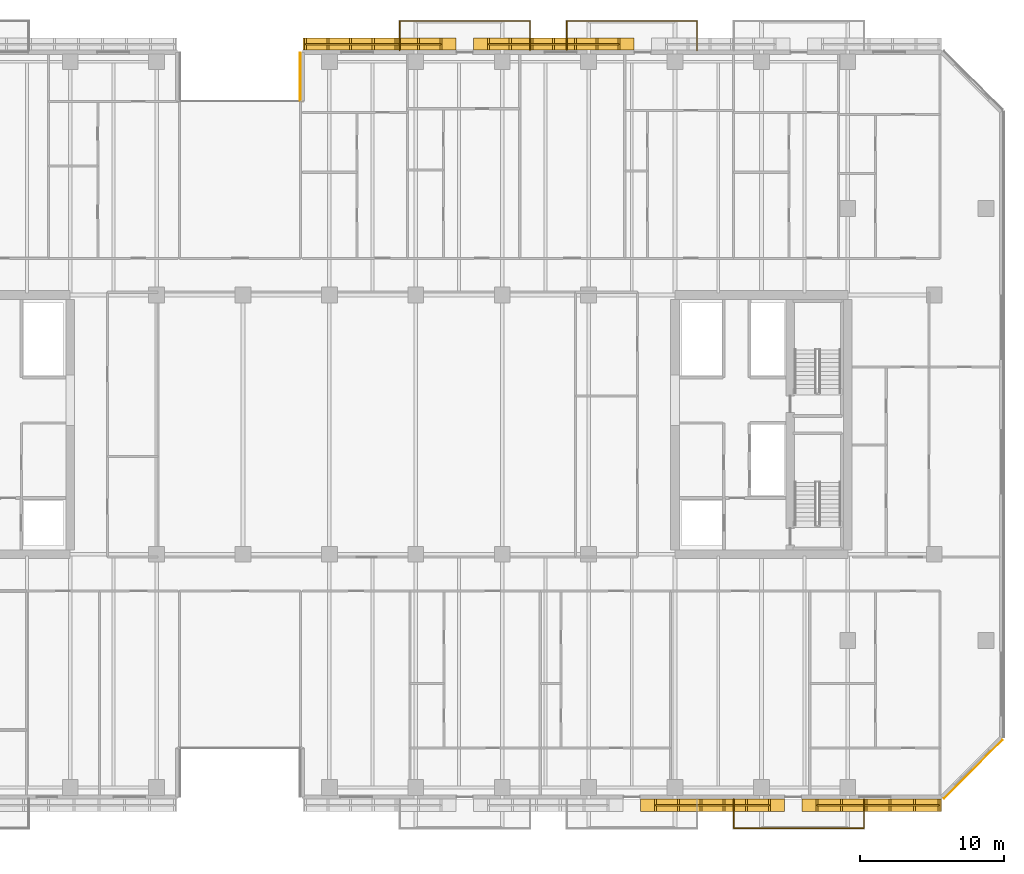
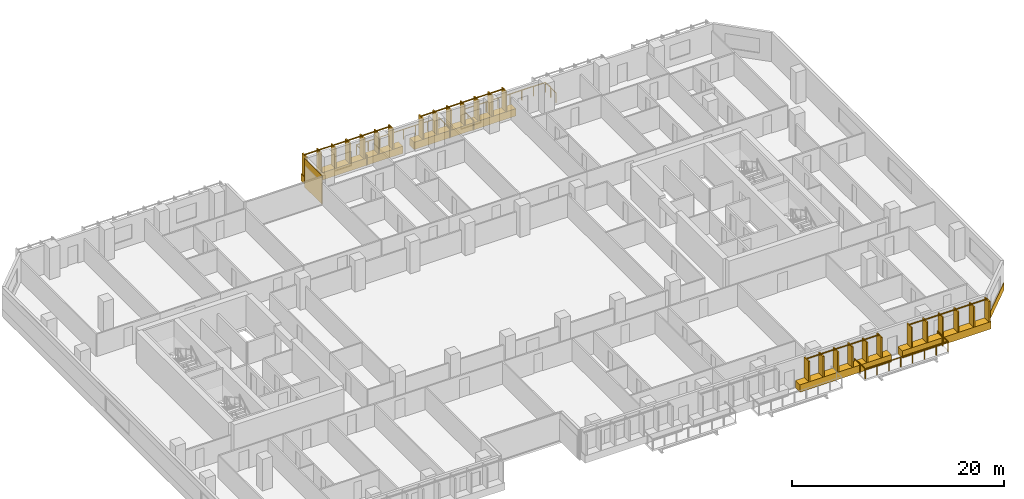
# One storey, part 22 of 25: 7 railings, 6 coverings.
"""IFC4 building model written with IfcOpenShell, lengths in metres."""

from ifc_helpers import new_model, si_unit, direction, frame, origin, origin_2d, place, context, subcontext, project, spatial, rectangle, extrude, material, layer, layer_set, type_object, element, save


model = new_model("IFC4")

# Units and contexts
model_context = context("Model", 3, precision=1e-05, world=origin(), true_north=direction((0.0, 1.0)))
body_context = subcontext(model_context, "Body", "Model", "MODEL_VIEW")
ifc_project = project(units=[si_unit("LENGTHUNIT", "METRE"), si_unit("AREAUNIT", "SQUARE_METRE"), si_unit("VOLUMEUNIT", "CUBIC_METRE"), si_unit("PLANEANGLEUNIT", "RADIAN"), si_unit("MASSUNIT", "GRAM", prefix="KILO")], contexts=[model_context])

# Site, building, storey
site_placement = place(None, origin())
site = spatial("IfcSite", under=ifc_project, at=site_placement, CompositionType="ELEMENT")
building_placement = place(site_placement, origin())
building = spatial("IfcBuilding", under=site, at=building_placement, Name="Tanjung Sevakor Pilgrim Tower", CompositionType="ELEMENT")
storey_placement = place(building_placement, frame((0.0, 0.0, 69.6298828125)))
storey = spatial("IfcBuildingStorey", under=building, at=storey_placement, Name="L19", CompositionType="ELEMENT", Elevation=69.6298828125)

# Coverings
ifc_material_1 = material(Name="Reconstructed Limestone Cladding", Category="masonry")
ifc_layer = layer(ifc_material_1, 0.044921875)
ifc_layer_set = layer_set([ifc_layer], Name="COV-CLAD-LIMESTONE")
covering_type = type_object("IfcCoveringType", Name="COV-CLAD-LIMESTONE", PredefinedType="CLADDING", material=ifc_layer_set)
covering_1_placement = place(storey_placement, frame((80.60009765625, 7.169921875, 0.01025390625), z_axis=(0.0, 0.0, 1.0), x_axis=(1.0, 0.0, 0.0)))
element("IfcCovering", 1, at=covering_1_placement, inside=storey, type_object=covering_type, Name="L19 Warm Limestone Sill Spandrel EW-L19-MAIN-5-3", PredefinedType="CLADDING", context=body_context, shape_type="SweptSolid", body=[
    extrude(rectangle(XDim=9.97998046875, YDim=0.860107421875, at=origin_2d()), origin(), (0.0, 0.0, 1.0), 0.840087890625),
])
covering_2_placement = place(storey_placement, frame((91.656005859375, 7.169921875, 0.01025390625), z_axis=(0.0, 0.0, 1.0), x_axis=(1.0, 0.0, 0.0)))
element("IfcCovering", 2, at=covering_2_placement, inside=storey, type_object=covering_type, Name="L19 Warm Limestone Sill Spandrel EW-L19-MAIN-5-4", PredefinedType="CLADDING", context=body_context, shape_type="SweptSolid", body=[
    extrude(rectangle(XDim=9.69189453125, YDim=0.860107421875, at=origin_2d()), origin(), (0.0, 0.0, 1.0), 0.840087890625),
])
covering_3_placement = place(storey_placement, frame((98.7158203125, 9.68408203125, 0.01025390625), z_axis=(0.0, 0.0, 1.0), x_axis=(0.707106781187, 0.707106781187, 0.0)))
element("IfcCovering", 3, at=covering_3_placement, inside=storey, type_object=covering_type, Name="L19 Warm Limestone Sill Spandrel EW-CHM-L19-MAIN-5-1", PredefinedType="CLADDING", context=body_context, shape_type="SweptSolid", body=[
    extrude(rectangle(XDim=5.74365234375, YDim=0.044921875, at=origin_2d()), origin(), (0.0, 0.0, 1.0), 0.840087890625),
])
covering_4_placement = place(storey_placement, frame((69.574951171875, 60.030029296875, 0.01025390625), z_axis=(0.0, 0.0, 1.0), x_axis=(-1.0, 0.0, 0.0)))
element("IfcCovering", 4, at=covering_4_placement, inside=storey, type_object=covering_type, Name="L19 Warm Limestone Sill Spandrel EW-L19-MAIN-9-3", PredefinedType="CLADDING", context=body_context, shape_type="SweptSolid", body=[
    extrude(rectangle(XDim=11.1298828125, YDim=0.860107421875, at=origin_2d()), origin(), (0.0, 0.0, 1.0), 0.840087890625),
])
covering_5_placement = place(storey_placement, frame((57.485107421875, 60.030029296875, 0.01025390625), z_axis=(0.0, 0.0, 1.0), x_axis=(-1.0, 0.0, 0.0)))
element("IfcCovering", 5, at=covering_5_placement, inside=storey, type_object=covering_type, Name="L19 Warm Limestone Sill Spandrel EW-L19-MAIN-9-4", PredefinedType="CLADDING", context=body_context, shape_type="SweptSolid", body=[
    extrude(rectangle(XDim=10.610107421875, YDim=0.860107421875, at=origin_2d()), origin(), (0.0, 0.0, 1.0), 0.840087890625),
])
covering_6_placement = place(storey_placement, frame((51.9775390625, 57.760009765625, 0.02001953125), z_axis=(0.0, 0.0, 1.0), x_axis=(0.0, -1.0, 0.0)))
element("IfcCovering", 6, at=covering_6_placement, inside=storey, type_object=covering_type, Name="L19 Warm Limestone Wall Cladding EW-L19-MAIN-10", PredefinedType="CLADDING", context=body_context, shape_type="SweptSolid", body=[
    extrude(rectangle(XDim=3.360107421875, YDim=0.044921875, at=origin_2d()), origin(), (0.0, 0.0, 1.0), 3.31005859375),
])

# Railings
ifc_material_2 = material(Name="Laminated Glass and Aluminium", Category="aluminium")
railing_type_1 = type_object("IfcRailingType", Name="RL-BAL-BALUST", PredefinedType="BALUSTRADE", material=ifc_material_2)
railing_1_placement = place(storey_placement, frame((58.8798828125, 59.60009765625, 0.0)))
element("IfcRailing", 7, at=railing_1_placement, inside=storey, type_object=railing_type_1, Name="L19 Loggia Balustrade MAIN-N2", PredefinedType="BALUSTRADE", context=body_context, shape_type="SweptSolid", body=[
    extrude(rectangle(XDim=0.0479, YDim=0.0479), frame((0.0, 0.0, 1.1259765625), z_axis=(0.0, 1.0, 0.0), x_axis=(-1.0, 0.0, 0.0)), (0.0, 0.0, 1.0), 2.02001953125),
    extrude(rectangle(XDim=0.0479, YDim=0.0479), frame((0.0, 2.02001953125, 1.1259765625), z_axis=(1.0, 0.0, 0.0), x_axis=(0.0, 1.0, 0.0)), (0.0, 0.0, 1.0), 9.0400390625),
    extrude(rectangle(XDim=0.0479, YDim=0.0479), frame((9.0400390625, 2.02001953125, 1.1259765625), z_axis=(0.0, -1.0, 0.0), x_axis=(1.0, 0.0, 0.0)), (0.0, 0.0, 1.0), 2.02001953125),
    extrude(rectangle(XDim=0.042, YDim=0.042), origin(), (0.0, 0.0, 1.0), 1.101806640625),
    extrude(rectangle(XDim=0.042, YDim=0.042), frame((0.0, 1.010009765625, 0.0)), (0.0, 0.0, 1.0), 1.101806640625),
    extrude(rectangle(XDim=0.042, YDim=0.042), frame((0.0, 2.02001953125, 0.0)), (0.0, 0.0, 1.0), 1.101806640625),
    extrude(rectangle(XDim=0.042, YDim=0.042), frame((1.29150390625, 2.02001953125, 0.0)), (0.0, 0.0, 1.0), 1.101806640625),
    extrude(rectangle(XDim=0.042, YDim=0.042), frame((2.582763671875, 2.02001953125, 0.0)), (0.0, 0.0, 1.0), 1.101806640625),
    extrude(rectangle(XDim=0.042, YDim=0.042), frame((3.874267578125, 2.02001953125, 0.0)), (0.0, 0.0, 1.0), 1.101806640625),
    extrude(rectangle(XDim=0.042, YDim=0.042), frame((5.165771484375, 2.02001953125, 0.0)), (0.0, 0.0, 1.0), 1.101806640625),
    extrude(rectangle(XDim=0.042, YDim=0.042), frame((6.457275390625, 2.02001953125, 0.0)), (0.0, 0.0, 1.0), 1.101806640625),
    extrude(rectangle(XDim=0.042, YDim=0.042), frame((7.74853515625, 2.02001953125, 0.0)), (0.0, 0.0, 1.0), 1.101806640625),
    extrude(rectangle(XDim=0.042, YDim=0.042), frame((9.0400390625, 2.02001953125, 0.0)), (0.0, 0.0, 1.0), 1.101806640625),
    extrude(rectangle(XDim=0.042, YDim=0.042), frame((9.0400390625, 1.010009765625, 0.0)), (0.0, 0.0, 1.0), 1.101806640625),
    extrude(rectangle(XDim=0.042, YDim=0.042), frame((9.0400390625, 0.0, 0.0)), (0.0, 0.0, 1.0), 1.101806640625),
])
railing_2_placement = place(storey_placement, frame((70.47998046875, 59.60009765625, 0.0)))
element("IfcRailing", 8, at=railing_2_placement, inside=storey, type_object=railing_type_1, Name="L19 Loggia Balustrade MAIN-N3", PredefinedType="BALUSTRADE", context=body_context, shape_type="SweptSolid", body=[
    extrude(rectangle(XDim=0.0479, YDim=0.0479), frame((0.0, 0.0, 1.1259765625), z_axis=(0.0, 1.0, 0.0), x_axis=(-1.0, 0.0, 0.0)), (0.0, 0.0, 1.0), 2.02001953125),
    extrude(rectangle(XDim=0.0479, YDim=0.0479), frame((0.0, 2.02001953125, 1.1259765625), z_axis=(1.0, 0.0, 0.0), x_axis=(0.0, 1.0, 0.0)), (0.0, 0.0, 1.0), 9.0400390625),
    extrude(rectangle(XDim=0.0479, YDim=0.0479), frame((9.0400390625, 2.02001953125, 1.1259765625), z_axis=(0.0, -1.0, 0.0), x_axis=(1.0, 0.0, 0.0)), (0.0, 0.0, 1.0), 2.02001953125),
    extrude(rectangle(XDim=0.042, YDim=0.042), origin(), (0.0, 0.0, 1.0), 1.101806640625),
    extrude(rectangle(XDim=0.042, YDim=0.042), frame((0.0, 1.010009765625, 0.0)), (0.0, 0.0, 1.0), 1.101806640625),
    extrude(rectangle(XDim=0.042, YDim=0.042), frame((0.0, 2.02001953125, 0.0)), (0.0, 0.0, 1.0), 1.101806640625),
    extrude(rectangle(XDim=0.042, YDim=0.042), frame((1.29150390625, 2.02001953125, 0.0)), (0.0, 0.0, 1.0), 1.101806640625),
    extrude(rectangle(XDim=0.042, YDim=0.042), frame((2.582763671875, 2.02001953125, 0.0)), (0.0, 0.0, 1.0), 1.101806640625),
    extrude(rectangle(XDim=0.042, YDim=0.042), frame((3.874267578125, 2.02001953125, 0.0)), (0.0, 0.0, 1.0), 1.101806640625),
    extrude(rectangle(XDim=0.042, YDim=0.042), frame((5.165771484375, 2.02001953125, 0.0)), (0.0, 0.0, 1.0), 1.101806640625),
    extrude(rectangle(XDim=0.042, YDim=0.042), frame((6.457275390625, 2.02001953125, 0.0)), (0.0, 0.0, 1.0), 1.101806640625),
    extrude(rectangle(XDim=0.042, YDim=0.042), frame((7.74853515625, 2.02001953125, 0.0)), (0.0, 0.0, 1.0), 1.101806640625),
    extrude(rectangle(XDim=0.042, YDim=0.042), frame((9.0400390625, 2.02001953125, 0.0)), (0.0, 0.0, 1.0), 1.101806640625),
    extrude(rectangle(XDim=0.042, YDim=0.042), frame((9.0400390625, 1.010009765625, 0.0)), (0.0, 0.0, 1.0), 1.101806640625),
    extrude(rectangle(XDim=0.042, YDim=0.042), frame((9.0400390625, 0.0, 0.0)), (0.0, 0.0, 1.0), 1.101806640625),
])
railing_3_placement = place(storey_placement, frame((82.080078125, 7.60009765625, 0.0)))
element("IfcRailing", 9, at=railing_3_placement, inside=storey, type_object=railing_type_1, Name="L19 Loggia Balustrade MAIN-S4", PredefinedType="BALUSTRADE", context=body_context, shape_type="SweptSolid", body=[
    extrude(rectangle(XDim=0.0479, YDim=0.0479), frame((0.0, 0.0, 1.1259765625), z_axis=(0.0, -1.0, 0.0), x_axis=(1.0, 0.0, 0.0)), (0.0, 0.0, 1.0), 2.02001953125),
    extrude(rectangle(XDim=0.0479, YDim=0.0479), frame((0.0, -2.02001953125, 1.1259765625), z_axis=(1.0, 0.0, 0.0), x_axis=(0.0, 1.0, 0.0)), (0.0, 0.0, 1.0), 9.0400390625),
    extrude(rectangle(XDim=0.0479, YDim=0.0479), frame((9.0400390625, -2.02001953125, 1.1259765625), z_axis=(0.0, 1.0, 0.0), x_axis=(-1.0, 0.0, 0.0)), (0.0, 0.0, 1.0), 2.02001953125),
    extrude(rectangle(XDim=0.042, YDim=0.042), origin(), (0.0, 0.0, 1.0), 1.101806640625),
    extrude(rectangle(XDim=0.042, YDim=0.042), frame((0.0, -1.010009765625, 0.0)), (0.0, 0.0, 1.0), 1.101806640625),
    extrude(rectangle(XDim=0.042, YDim=0.042), frame((0.0, -2.02001953125, 0.0)), (0.0, 0.0, 1.0), 1.101806640625),
    extrude(rectangle(XDim=0.042, YDim=0.042), frame((1.29150390625, -2.02001953125, 0.0)), (0.0, 0.0, 1.0), 1.101806640625),
    extrude(rectangle(XDim=0.042, YDim=0.042), frame((2.582763671875, -2.02001953125, 0.0)), (0.0, 0.0, 1.0), 1.101806640625),
    extrude(rectangle(XDim=0.042, YDim=0.042), frame((3.874267578125, -2.02001953125, 0.0)), (0.0, 0.0, 1.0), 1.101806640625),
    extrude(rectangle(XDim=0.042, YDim=0.042), frame((5.165771484375, -2.02001953125, 0.0)), (0.0, 0.0, 1.0), 1.101806640625),
    extrude(rectangle(XDim=0.042, YDim=0.042), frame((6.457275390625, -2.02001953125, 0.0)), (0.0, 0.0, 1.0), 1.101806640625),
    extrude(rectangle(XDim=0.042, YDim=0.042), frame((7.74853515625, -2.02001953125, 0.0)), (0.0, 0.0, 1.0), 1.101806640625),
    extrude(rectangle(XDim=0.042, YDim=0.042), frame((9.0400390625, -2.02001953125, 0.0)), (0.0, 0.0, 1.0), 1.101806640625),
    extrude(rectangle(XDim=0.042, YDim=0.042), frame((9.0400390625, -1.010009765625, 0.0)), (0.0, 0.0, 1.0), 1.101806640625),
    extrude(rectangle(XDim=0.042, YDim=0.042), frame((9.0400390625, 0.0, 0.0)), (0.0, 0.0, 1.0), 1.101806640625),
])
ifc_material_3 = material(Name="Anodised Bronze Aluminium 6063-T6", Category="aluminium")
railing_type_2 = type_object("IfcRailingType", Name="RL-FIN-SCREEN", PredefinedType="BALUSTRADE", material=ifc_material_3)
railing_4_placement = place(storey_placement, frame((76.64990234375, 7.175048828125, 0.840087890625)))
element("IfcRailing", 10, at=railing_4_placement, inside=storey, type_object=railing_type_2, Name="L19 Vertical Bronze-Gold Solar Fin Screen FNSCR-EW-L19-MAIN-5-3", PredefinedType="BALUSTRADE", context=body_context, shape_type="SweptSolid", body=[
    extrude(rectangle(XDim=0.105, YDim=0.105), frame((0.0, 0.0, 2.427490234375), z_axis=(1.0, 0.0, 0.0), x_axis=(0.0, 1.0, 0.0)), (0.0, 0.0, 1.0), 7.900146484375),
    extrude(rectangle(XDim=0.14, YDim=0.85), origin(), (0.0, 0.0, 1.0), 2.375),
    extrude(rectangle(XDim=0.14, YDim=0.85), frame((1.580078125, 0.0, 0.0)), (0.0, 0.0, 1.0), 2.375),
    extrude(rectangle(XDim=0.14, YDim=0.85), frame((3.16015625, 0.0, 0.0)), (0.0, 0.0, 1.0), 2.375),
    extrude(rectangle(XDim=0.14, YDim=0.85), frame((4.739990234375, 0.0, 0.0)), (0.0, 0.0, 1.0), 2.375),
    extrude(rectangle(XDim=0.14, YDim=0.85), frame((6.320068359375, 0.0, 0.0)), (0.0, 0.0, 1.0), 2.375),
    extrude(rectangle(XDim=0.14, YDim=0.85), frame((7.900146484375, 0.0, 0.0)), (0.0, 0.0, 1.0), 2.375),
])
railing_5_placement = place(storey_placement, frame((87.85009765625, 7.175048828125, 0.840087890625)))
element("IfcRailing", 11, at=railing_5_placement, inside=storey, type_object=railing_type_2, Name="L19 Vertical Bronze-Gold Solar Fin Screen FNSCR-EW-L19-MAIN-5-4", PredefinedType="BALUSTRADE", context=body_context, shape_type="SweptSolid", body=[
    extrude(rectangle(XDim=0.105, YDim=0.105), frame((0.0, 0.0, 2.427490234375), z_axis=(1.0, 0.0, 0.0), x_axis=(0.0, 1.0, 0.0)), (0.0, 0.0, 1.0), 8.491943359375),
    extrude(rectangle(XDim=0.14, YDim=0.85), origin(), (0.0, 0.0, 1.0), 2.375),
    extrude(rectangle(XDim=0.14, YDim=0.85), frame((1.698486328125, 0.0, 0.0)), (0.0, 0.0, 1.0), 2.375),
    extrude(rectangle(XDim=0.14, YDim=0.85), frame((3.396728515625, 0.0, 0.0)), (0.0, 0.0, 1.0), 2.375),
    extrude(rectangle(XDim=0.14, YDim=0.85), frame((5.09521484375, 0.0, 0.0)), (0.0, 0.0, 1.0), 2.375),
    extrude(rectangle(XDim=0.14, YDim=0.85), frame((6.79345703125, 0.0, 0.0)), (0.0, 0.0, 1.0), 2.375),
    extrude(rectangle(XDim=0.14, YDim=0.85), frame((8.491943359375, 0.0, 0.0)), (0.0, 0.0, 1.0), 2.375),
])
railing_6_placement = place(storey_placement, frame((74.10009765625, 60.02490234375, 0.840087890625)))
element("IfcRailing", 12, at=railing_6_placement, inside=storey, type_object=railing_type_2, Name="L19 Vertical Bronze-Gold Solar Fin Screen FNSCR-EW-L19-MAIN-9-3", PredefinedType="BALUSTRADE", context=body_context, shape_type="SweptSolid", body=[
    extrude(rectangle(XDim=0.105, YDim=0.105), frame((0.0, 0.0, 2.427490234375), z_axis=(-1.0, 0.0, 0.0), x_axis=(0.0, -1.0, 0.0)), (0.0, 0.0, 1.0), 9.050048828125),
    extrude(rectangle(XDim=0.14, YDim=0.85), origin(), (0.0, 0.0, 1.0), 2.375),
    extrude(rectangle(XDim=0.14, YDim=0.85), frame((-1.50830078125, 0.0, 0.0)), (0.0, 0.0, 1.0), 2.375),
    extrude(rectangle(XDim=0.14, YDim=0.85), frame((-3.0166015625, 0.0, 0.0)), (0.0, 0.0, 1.0), 2.375),
    extrude(rectangle(XDim=0.14, YDim=0.85), frame((-4.52490234375, 0.0, 0.0)), (0.0, 0.0, 1.0), 2.375),
    extrude(rectangle(XDim=0.14, YDim=0.85), frame((-6.033447265625, 0.0, 0.0)), (0.0, 0.0, 1.0), 2.375),
    extrude(rectangle(XDim=0.14, YDim=0.85), frame((-7.541748046875, 0.0, 0.0)), (0.0, 0.0, 1.0), 2.375),
    extrude(rectangle(XDim=0.14, YDim=0.85), frame((-9.050048828125, 0.0, 0.0)), (0.0, 0.0, 1.0), 2.375),
])
railing_7_placement = place(storey_placement, frame((61.75, 60.02490234375, 0.840087890625)))
element("IfcRailing", 13, at=railing_7_placement, inside=storey, type_object=railing_type_2, Name="L19 Vertical Bronze-Gold Solar Fin Screen FNSCR-EW-L19-MAIN-9-4", PredefinedType="BALUSTRADE", context=body_context, shape_type="SweptSolid", body=[
    extrude(rectangle(XDim=0.105, YDim=0.105), frame((0.0, 0.0, 2.427490234375), z_axis=(-1.0, 0.0, 0.0), x_axis=(0.0, -1.0, 0.0)), (0.0, 0.0, 1.0), 9.409912109375),
    extrude(rectangle(XDim=0.14, YDim=0.85), origin(), (0.0, 0.0, 1.0), 2.375),
    extrude(rectangle(XDim=0.14, YDim=0.85), frame((-1.568359375, 0.0, 0.0)), (0.0, 0.0, 1.0), 2.375),
    extrude(rectangle(XDim=0.14, YDim=0.85), frame((-3.13671875, 0.0, 0.0)), (0.0, 0.0, 1.0), 2.375),
    extrude(rectangle(XDim=0.14, YDim=0.85), frame((-4.705078125, 0.0, 0.0)), (0.0, 0.0, 1.0), 2.375),
    extrude(rectangle(XDim=0.14, YDim=0.85), frame((-6.273193359375, 0.0, 0.0)), (0.0, 0.0, 1.0), 2.375),
    extrude(rectangle(XDim=0.14, YDim=0.85), frame((-7.841552734375, 0.0, 0.0)), (0.0, 0.0, 1.0), 2.375),
    extrude(rectangle(XDim=0.14, YDim=0.85), frame((-9.409912109375, 0.0, 0.0)), (0.0, 0.0, 1.0), 2.375),
])

save(model, "model.ifc")
